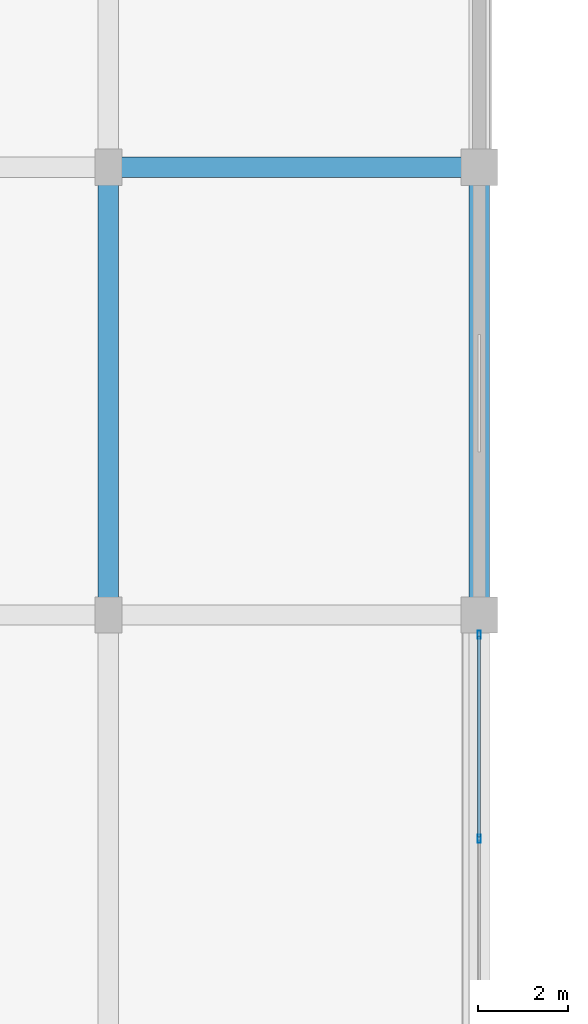
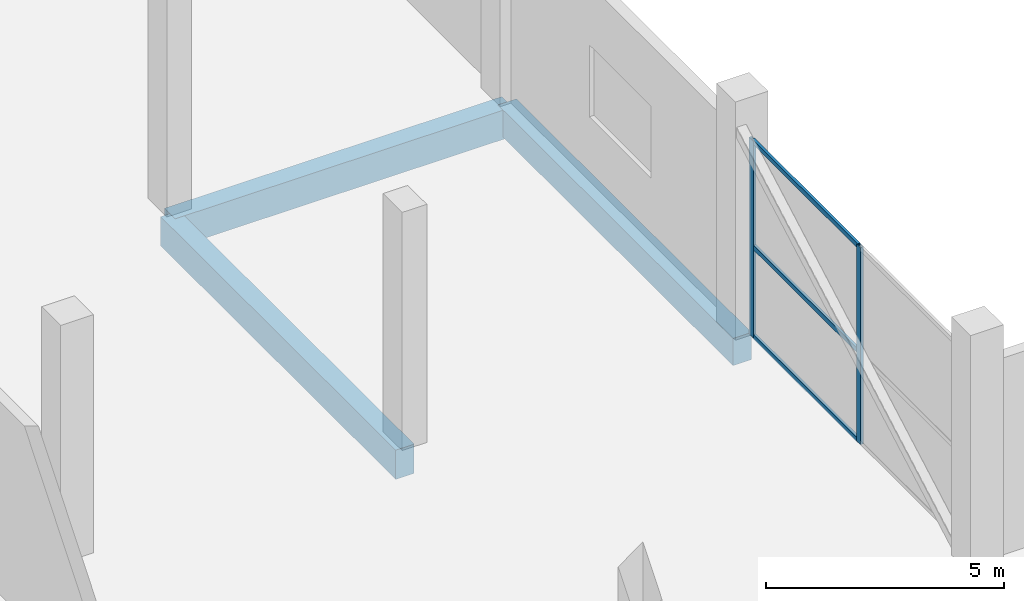
# One storey, part 31 of 58: 5 members, 3 beams, 1 element without a shape of its own.
"""IFC4 building model written with IfcOpenShell, lengths in metres."""

from ifc_helpers import new_model, si_unit, direction, frame, origin, origin_2d, place, context, subcontext, project, spatial, rectangle, hollow_rectangle, extrude, material, layer, layer_set, material_profile, profile_set, type_object, element, aggregate, save


model = new_model("IFC4")

# Units and contexts
model_context = context("Model", 3, precision=1e-05, world=origin(), true_north=direction((0.0, 1.0)))
body_context = subcontext(model_context, "Body", "Model", "MODEL_VIEW")
ifc_project = project(units=[si_unit("LENGTHUNIT", "METRE"), si_unit("AREAUNIT", "SQUARE_METRE"), si_unit("VOLUMEUNIT", "CUBIC_METRE"), si_unit("PLANEANGLEUNIT", "RADIAN"), si_unit("MASSUNIT", "GRAM", prefix="KILO")], contexts=[model_context])

# Site, building, storey
site_placement = place(None, origin())
site = spatial("IfcSite", under=ifc_project, at=site_placement, CompositionType="ELEMENT")
building_placement = place(site_placement, origin())
building = spatial("IfcBuilding", under=site, at=building_placement, Name="Sillaruma Civic Art Gallery", CompositionType="ELEMENT")
storey_placement = place(building_placement, frame((0.0, 0.0, 22.43994140625)))
storey = spatial("IfcBuildingStorey", under=building, at=storey_placement, Name="L04", CompositionType="ELEMENT", Elevation=22.43994140625)

# Beams
ifc_material_1 = material(Name="Concrete H40 (40 MPa)", Category="concrete")
ifc_material_profile_1 = material_profile(ifc_material_1, rectangle(XDim=0.449951171875, YDim=0.75, at=origin_2d()), Name="RCB450x750")
ifc_profile_set_1 = profile_set([ifc_material_profile_1], Name="Concrete H40 (40 MPa)")
beam_type_1 = type_object("IfcBeamType", Name="BM-BEAM-RCB450x750", PredefinedType="BEAM", material=ifc_profile_set_1)
beam_1_placement = place(storey_placement, frame((106.199951171875, 89.10009765625, -0.635009765625), z_axis=(1.0, 0.0, 0.0), x_axis=(0.0, 1.0, 0.0)))
element("IfcBeam", 1, at=beam_1_placement, inside=storey, type_object=beam_type_1, Name="Beam BM-03 (L03:10:M-N)", PredefinedType="BEAM", context=body_context, shape_type="SweptSolid", body=[
    extrude(rectangle(XDim=0.449951171875, YDim=0.75, at=origin_2d()), origin(), (0.0, 0.0, 1.0), 8.199951171875),
])
beam_2_placement = place(storey_placement, frame((106.199951171875, 79.199951171875, -0.635009765625), z_axis=(0.0, 1.0, 0.0), x_axis=(-1.0, 0.0, 0.0)))
element("IfcBeam", 2, at=beam_2_placement, inside=storey, type_object=beam_type_1, Name="Beam BM-03 (L03:M:9-10)", PredefinedType="BEAM", context=body_context, shape_type="SweptSolid", body=[
    extrude(rectangle(XDim=0.449951171875, YDim=0.75, at=origin_2d()), origin(), (0.0, 0.0, 1.0), 9.900146484375),
])
ifc_material_2 = material(Name="Concrete H35 (35 MPa)", Category="concrete")
ifc_material_profile_2 = material_profile(ifc_material_2, rectangle(XDim=0.449951171875, YDim=0.699951171875, at=origin_2d()), Name="RCB450x700")
ifc_profile_set_2 = profile_set([ifc_material_profile_2], Name="Concrete H35 (35 MPa)")
beam_type_2 = type_object("IfcBeamType", Name="BM-SPANDREL-RCB450x700", PredefinedType="SPANDREL", material=ifc_profile_set_2)
beam_3_placement = place(storey_placement, frame((114.39990234375, 79.199951171875, -0.60986328125), z_axis=(0.0, 1.0, 0.0), x_axis=(-1.0, 0.0, 0.0)))
element("IfcBeam", 3, at=beam_3_placement, inside=storey, type_object=beam_type_2, Name="Beam BS-03 (L03:N:9-10)", PredefinedType="SPANDREL", context=body_context, shape_type="SweptSolid", body=[
    extrude(rectangle(XDim=0.449951171875, YDim=0.699951171875, at=origin_2d()), origin(), (0.0, 0.0, 1.0), 9.900146484375),
])

# Curtain wall, members
ifc_material_3 = material(Name="Thermally Broken Extruded Aluminium 6063-T6", Category="aluminium")
ifc_layer = layer(ifc_material_3, 0.179931640625, Name="Thermally Broken Extruded Aluminium 6063-T6")
ifc_layer_set = layer_set([ifc_layer], Name="Thermally Broken Extruded Aluminium 6063-T6")
curtain_wall_type = type_object("IfcCurtainWallType", Name="CW-UNI-21", PredefinedType="NOTDEFINED", material=ifc_layer_set)
curtain_wall_placement = place(storey_placement, origin())
curtain_wall = element("IfcCurtainWall", 4, at=curtain_wall_placement, inside=storey, type_object=curtain_wall_type, Name="Unitised Curtain Wall CW-21 (CW-L04-E-6)", PredefinedType="NOTDEFINED")
ifc_material_profile_3 = material_profile(ifc_material_3, hollow_rectangle(XDim=0.070068359375, YDim=0.179931640625, WallThickness=0.00390625, at=origin_2d()), Name="CWM70x180")
ifc_profile_set_3 = profile_set([ifc_material_profile_3], Name="Thermally Broken Extruded Aluminium 6063-T6")
member_type_1 = type_object("IfcMemberType", Name="MEM-MUL-CWM70x180", PredefinedType="MULLION", material=ifc_profile_set_3)
member_1_placement = place(storey_placement, frame((114.39990234375, 74.25, 0.0), z_axis=(0.0, 0.0, 1.0), x_axis=(-1.0, 0.0, 0.0)))
member_1 = element("IfcMember", 5, at=member_1_placement, type_object=member_type_1, Name="CW-21 mullion 2", PredefinedType="MULLION", context=body_context, shape_type="SweptSolid", body=[
    extrude(hollow_rectangle(XDim=0.070068359375, YDim=0.179931640625, WallThickness=0.00390625, at=origin_2d()), origin(), (0.0, 0.0, 1.0), 5.06005859375),
])
member_2_placement = place(storey_placement, frame((114.39990234375, 78.764892578125, 0.0), z_axis=(0.0, 0.0, 1.0), x_axis=(-1.0, 0.0, 0.0)))
member_2 = element("IfcMember", 6, at=member_2_placement, type_object=member_type_1, Name="CW-21 mullion 3", PredefinedType="MULLION", context=body_context, shape_type="SweptSolid", body=[
    extrude(hollow_rectangle(XDim=0.070068359375, YDim=0.179931640625, WallThickness=0.00390625, at=origin_2d()), origin(), (0.0, 0.0, 1.0), 5.06005859375),
])
ifc_material_profile_4 = material_profile(ifc_material_3, hollow_rectangle(XDim=0.06494140625, YDim=0.1201171875, WallThickness=0.00341796875, at=origin_2d()), Name="CWT65x120")
ifc_profile_set_4 = profile_set([ifc_material_profile_4], Name="Thermally Broken Extruded Aluminium 6063-T6")
member_type_2 = type_object("IfcMemberType", Name="MEM-TRN-CWT65x120", PredefinedType="USERDEFINED", material=ifc_profile_set_4)
member_3_placement = place(storey_placement, frame((114.39990234375, 74.284912109375, 0.032470703125), z_axis=(0.0, 1.0, 0.0), x_axis=(-1.0, 0.0, 0.0)))
member_3 = element("IfcMember", 7, at=member_3_placement, type_object=member_type_2, Name="CW-21 transom 2.1", ObjectType="TRANSOM", PredefinedType="USERDEFINED", context=body_context, shape_type="SweptSolid", body=[
    extrude(hollow_rectangle(XDim=0.06494140625, YDim=0.1201171875, WallThickness=0.00341796875, at=origin_2d()), origin(), (0.0, 0.0, 1.0), 4.445068359375),
])
member_4_placement = place(storey_placement, frame((114.39990234375, 74.284912109375, 2.32763671875), z_axis=(0.0, 1.0, 0.0), x_axis=(-1.0, 0.0, 0.0)))
member_4 = element("IfcMember", 8, at=member_4_placement, type_object=member_type_2, Name="CW-21 transom 2.2", ObjectType="TRANSOM", PredefinedType="USERDEFINED", context=body_context, shape_type="SweptSolid", body=[
    extrude(hollow_rectangle(XDim=0.06494140625, YDim=0.1201171875, WallThickness=0.00341796875, at=origin_2d()), origin(), (0.0, 0.0, 1.0), 4.445068359375),
])
member_5_placement = place(storey_placement, frame((114.39990234375, 74.284912109375, 5.027587890625), z_axis=(0.0, 1.0, 0.0), x_axis=(-1.0, 0.0, 0.0)))
member_5 = element("IfcMember", 9, at=member_5_placement, type_object=member_type_2, Name="CW-21 transom 2.3", ObjectType="TRANSOM", PredefinedType="USERDEFINED", context=body_context, shape_type="SweptSolid", body=[
    extrude(hollow_rectangle(XDim=0.06494140625, YDim=0.1201171875, WallThickness=0.00341796875, at=origin_2d()), origin(), (0.0, 0.0, 1.0), 4.445068359375),
])
aggregate(curtain_wall, [member_1, member_2, member_3, member_4, member_5])

save(model, "model.ifc")
